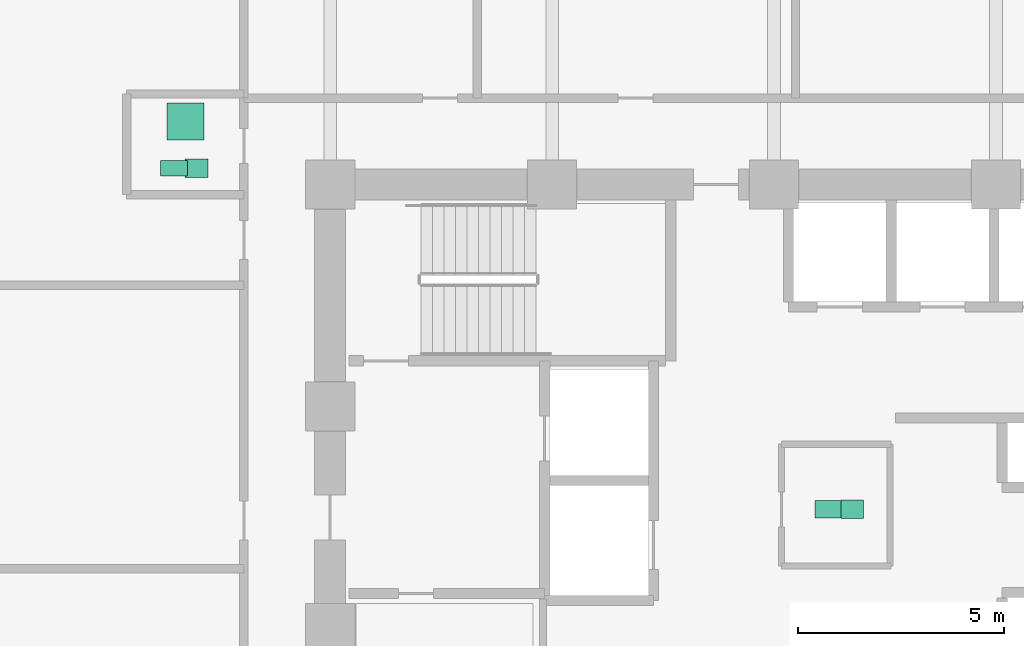
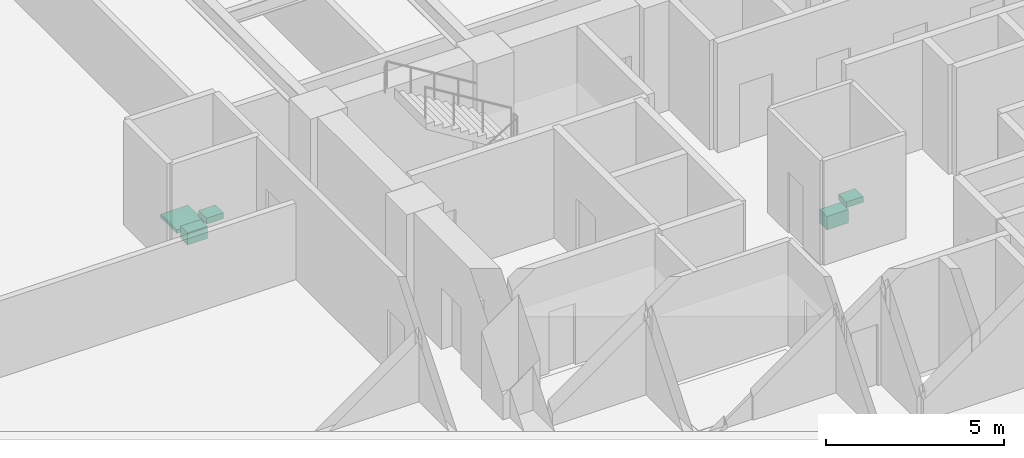
# One storey, part 24 of 24: 5 sanitary terminals.
"""IFC4 building model written with IfcOpenShell, lengths in metres."""

from ifc_helpers import new_model, si_unit, direction, frame, origin, origin_2d, place, context, subcontext, project, spatial, rectangle, extrude, material, type_object, element, save


model = new_model("IFC4")

# Units and contexts
model_context = context("Model", 3, precision=1e-05, world=origin(), true_north=direction((0.0, 1.0)))
body_context = subcontext(model_context, "Body", "Model", "MODEL_VIEW")
ifc_project = project(units=[si_unit("LENGTHUNIT", "METRE"), si_unit("AREAUNIT", "SQUARE_METRE"), si_unit("VOLUMEUNIT", "CUBIC_METRE"), si_unit("PLANEANGLEUNIT", "RADIAN"), si_unit("MASSUNIT", "GRAM", prefix="KILO")], contexts=[model_context])

# Site, building, storey
site_placement = place(None, origin())
site = spatial("IfcSite", under=ifc_project, at=site_placement, CompositionType="ELEMENT")
building_placement = place(site_placement, origin())
building = spatial("IfcBuilding", under=site, at=building_placement, Name="Surkhivell Harbour Commons", CompositionType="ELEMENT")
storey_placement = place(building_placement, frame((0.0, 0.0, 30.0)))
storey = spatial("IfcBuildingStorey", under=building, at=storey_placement, Name="L07", CompositionType="ELEMENT", Elevation=30.0)

# Sanitary terminals
ifc_material_1 = material(Name="Vitreous china washbasin", Category="other")
sanitary_terminal_type_1 = type_object("IfcSanitaryTerminalType", Name="SAN-BSN", PredefinedType="WASHHANDBASIN", material=ifc_material_1)
for number, where, z_axis, x_axis, name in (
    (1, (1.89990234375, 2.89990234375, 0.72021484375), (0.0, 0.0, 1.0), (1.0, 0.0, 0.0), "L07 Core Accessible WC Washbasin"),
    (2, (-14.050048828125, 11.18994140625, 0.72021484375), (0.0, 0.0, 1.0), (1.0, 0.0, 0.0), "L07 West Communal Bathroom WC Washbasin"),
):
    element("IfcSanitaryTerminal", number, at=place(storey_placement, frame(where, z_axis=z_axis, x_axis=x_axis)), inside=storey, type_object=sanitary_terminal_type_1, Name=name, PredefinedType="WASHHANDBASIN", context=body_context, shape_type="SweptSolid", body=[
        extrude(rectangle(XDim=0.550048828125, YDim=0.449951171875, at=origin_2d()), origin(), (0.0, 0.0, 1.0), 0.199951171875),
    ])
ifc_material_2 = material(Name="Glazed porcelain shower tray", Category="other")
sanitary_terminal_type_2 = type_object("IfcSanitaryTerminalType", Name="SAN-SHW", PredefinedType="SHOWER", material=ifc_material_2)
sanitary_terminal_1_placement = place(storey_placement, frame((-14.320068359375, 12.330078125, 0.0), z_axis=(0.0, 0.0, 1.0), x_axis=(1.0, 0.0, 0.0)))
element("IfcSanitaryTerminal", 3, at=sanitary_terminal_1_placement, inside=storey, type_object=sanitary_terminal_type_2, Name="L07 West Communal Shower Tray", PredefinedType="SHOWER", context=body_context, shape_type="SweptSolid", body=[
    extrude(rectangle(XDim=0.89990234375, YDim=0.89990234375, at=origin_2d()), origin(), (0.0, 0.0, 1.0), 0.1201171875),
])
ifc_material_3 = material(Name="Vitreous china sanitaryware", Category="other")
sanitary_terminal_type_3 = type_object("IfcSanitaryTerminalType", Name="SAN-WC-ACC", PredefinedType="TOILETPAN", material=ifc_material_3)
sanitary_terminal_2_placement = place(storey_placement, frame((1.35009765625, 2.89990234375, 0.169921875), z_axis=(0.0, 0.0, 1.0), x_axis=(1.0, 0.0, 0.0)))
element("IfcSanitaryTerminal", 4, at=sanitary_terminal_2_placement, inside=storey, type_object=sanitary_terminal_type_3, Name="L07 Core Accessible WC", PredefinedType="TOILETPAN", context=body_context, shape_type="SweptSolid", body=[
    extrude(rectangle(XDim=0.699951171875, YDim=0.419921875, at=origin_2d()), origin(), (0.0, 0.0, 1.0), 0.4599609375),
])
sanitary_terminal_type_4 = type_object("IfcSanitaryTerminalType", Name="SAN-WC-STD", PredefinedType="TOILETPAN", material=ifc_material_3)
sanitary_terminal_3_placement = place(storey_placement, frame((-14.60009765625, 11.18994140625, 0.18994140625), z_axis=(0.0, 0.0, 1.0), x_axis=(1.0, 0.0, 0.0)))
element("IfcSanitaryTerminal", 5, at=sanitary_terminal_3_placement, inside=storey, type_object=sanitary_terminal_type_4, Name="L07 West Communal Bathroom WC", PredefinedType="TOILETPAN", context=body_context, shape_type="SweptSolid", body=[
    extrude(rectangle(XDim=0.64990234375, YDim=0.3798828125, at=origin_2d()), origin(), (0.0, 0.0, 1.0), 0.419921875),
])

save(model, "model.ifc")
